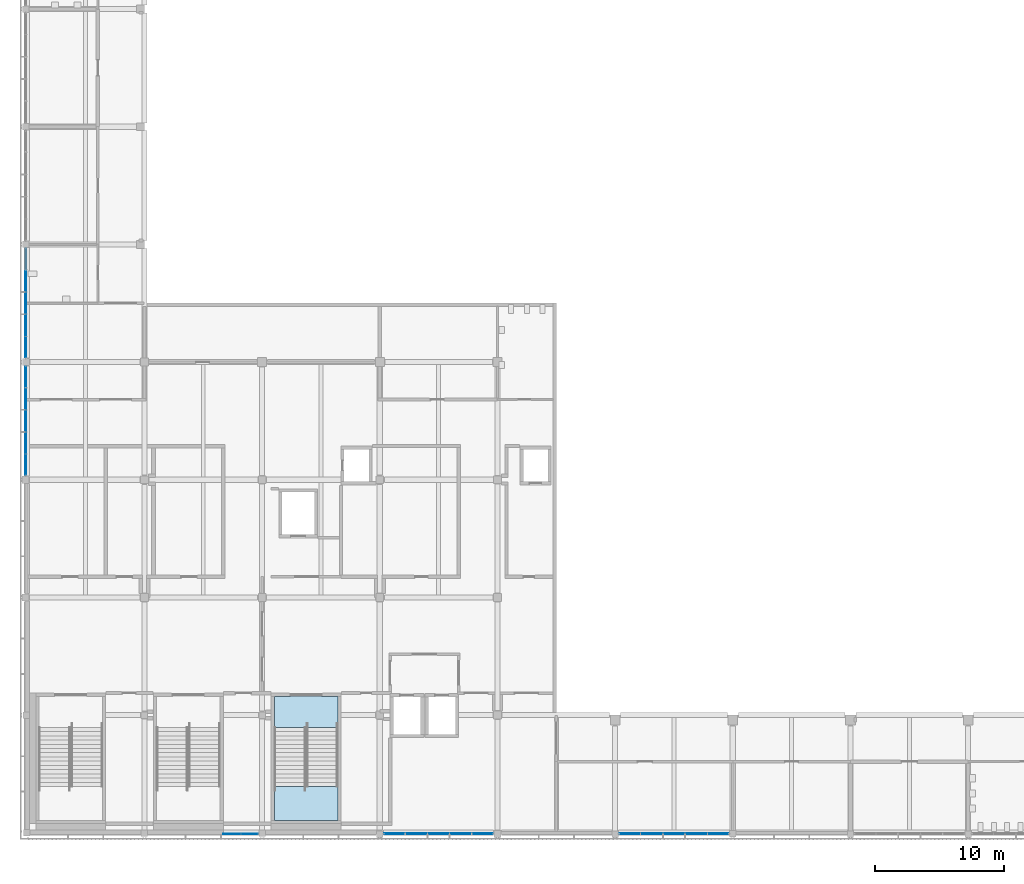
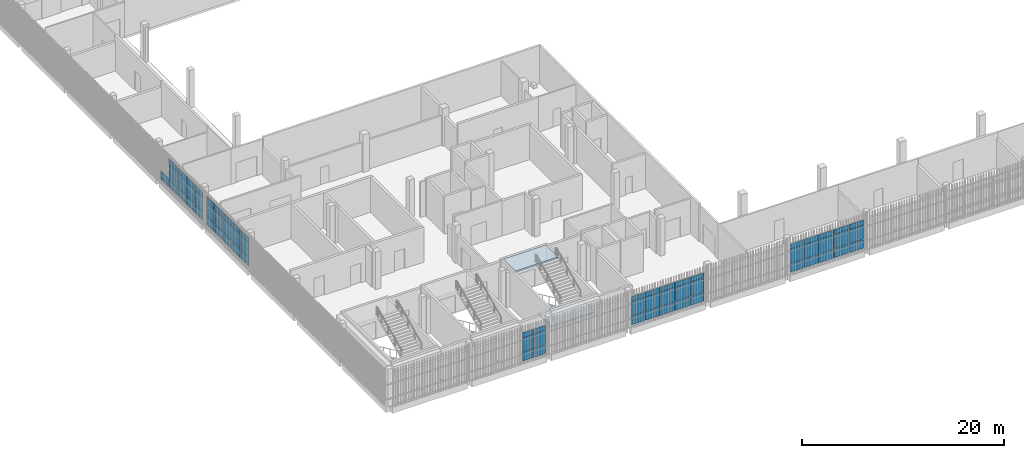
# One storey, part 57 of 124: 64 plates, 2 slabs, 6 elements without a shape of their own.
"""IFC4 building model written with IfcOpenShell, lengths in metres."""

from ifc_helpers import new_model, si_unit, direction, frame, origin, origin_2d, place, context, subcontext, project, spatial, polyline, rectangle, outline, extrude, material, layer, layer_set, type_object, element, aggregate, save


model = new_model("IFC4")

# Units and contexts
model_context = context("Model", 3, precision=1e-05, world=origin(), true_north=direction((0.0, 1.0)))
body_context = subcontext(model_context, "Body", "Model", "MODEL_VIEW")
ifc_project = project(units=[si_unit("LENGTHUNIT", "METRE"), si_unit("AREAUNIT", "SQUARE_METRE"), si_unit("VOLUMEUNIT", "CUBIC_METRE"), si_unit("PLANEANGLEUNIT", "RADIAN"), si_unit("MASSUNIT", "GRAM", prefix="KILO")], contexts=[model_context])

# Site, building, storey
site_placement = place(None, origin())
site = spatial("IfcSite", under=ifc_project, at=site_placement, CompositionType="ELEMENT")
building_placement = place(site_placement, origin())
building = spatial("IfcBuilding", under=site, at=building_placement, Name="Shirokan Park Arena", CompositionType="ELEMENT")
storey_placement = place(building_placement, frame((0.0, 0.0, 20.02001953125)))
storey = spatial("IfcBuildingStorey", under=building, at=storey_placement, Name="L04", CompositionType="ELEMENT", Elevation=20.02001953125)

# Curtain wall, plates
ifc_material_1 = material(Name="Steel and glass curtain wall", Category="steel")
ifc_layer_1 = layer(ifc_material_1, 0.1201171875)
ifc_layer_set_1 = layer_set([ifc_layer_1], Name="Steel and glass curtain wall 120 mm")
curtain_wall_type_1 = type_object("IfcCurtainWallType", Name="Curtain wall corner block side bay 120", PredefinedType="NOTDEFINED", material=ifc_layer_set_1)
curtain_wall_1_placement = place(storey_placement, origin())
curtain_wall_1 = element("IfcCurtainWall", 1, at=curtain_wall_1_placement, inside=storey, type_object=curtain_wall_type_1, Name="Curtain wall south bay 2 L04", PredefinedType="NOTDEFINED")
ifc_material_2 = material(Name="Aluminium sheet", Category="aluminium")
ifc_layer_2 = layer(ifc_material_2, 0.0029296875, Name="Aluminium sheet")
ifc_material_3 = material(Name="Mineral wool insulation")
ifc_layer_3 = layer(ifc_material_3, 0.053955078125, Name="Mineral wool insulation")
ifc_layer_4 = layer(ifc_material_2, 0.0029296875, Name="Aluminium sheet")
ifc_layer_set_2 = layer_set([ifc_layer_2, ifc_layer_3, ifc_layer_4], Name="Aluminium sheet + Mineral wool insulation")
plate_type_1 = type_object("IfcPlateType", Name="Insulated spandrel panel 60", PredefinedType="CURTAIN_PANEL", material=ifc_layer_set_2)
plate_1_placement = place(storey_placement, frame((15.875, -0.090087890625, 2.8701171875), z_axis=(0.0, 0.0, 1.0), x_axis=(1.0, 0.0, 0.0)))
plate_1 = element("IfcPlate", 2, at=plate_1_placement, type_object=plate_type_1, Name="CW3 panel 1.3", PredefinedType="CURTAIN_PANEL", context=body_context, shape_type="SweptSolid", body=[
    extrude(rectangle(XDim=1.35009765625, YDim=0.06005859375, at=origin_2d()), origin(), (0.0, 0.0, 1.0), 0.590087890625),
])
plate_2_placement = place(storey_placement, frame((17.22509765625, -0.090087890625, 2.8701171875), z_axis=(0.0, 0.0, 1.0), x_axis=(1.0, 0.0, 0.0)))
plate_2 = element("IfcPlate", 3, at=plate_2_placement, type_object=plate_type_1, Name="CW3 panel 2.3", PredefinedType="CURTAIN_PANEL", context=body_context, shape_type="SweptSolid", body=[
    extrude(rectangle(XDim=1.25, YDim=0.06005859375, at=origin_2d()), origin(), (0.0, 0.0, 1.0), 0.590087890625),
])

ifc_layer_5 = layer(ifc_material_1, 0.14990234375)
ifc_layer_set_3 = layer_set([ifc_layer_5], Name="Steel and glass curtain wall 150 mm")
curtain_wall_type_2 = type_object("IfcCurtainWallType", Name="Curtain wall exposed bay 150", PredefinedType="NOTDEFINED", material=ifc_layer_set_3)
curtain_wall_2_placement = place(storey_placement, origin())
curtain_wall_2 = element("IfcCurtainWall", 4, at=curtain_wall_2_placement, inside=storey, type_object=curtain_wall_type_2, Name="Curtain wall south bay 4 L04", PredefinedType="NOTDEFINED")
plate_3_placement = place(storey_placement, frame((28.445068359375, -0.074951171875, 2.8701171875), z_axis=(0.0, 0.0, 1.0), x_axis=(1.0, 0.0, 0.0)))
plate_3 = element("IfcPlate", 5, at=plate_3_placement, type_object=plate_type_1, Name="CW1 panel 1.3", PredefinedType="CURTAIN_PANEL", context=body_context, shape_type="SweptSolid", body=[
    extrude(rectangle(XDim=1.590087890625, YDim=0.06005859375, at=origin_2d()), origin(), (0.0, 0.0, 1.0), 0.590087890625),
])
plate_4_placement = place(storey_placement, frame((30.12255859375, -0.074951171875, 2.8701171875), z_axis=(0.0, 0.0, 1.0), x_axis=(1.0, 0.0, 0.0)))
plate_4 = element("IfcPlate", 6, at=plate_4_placement, type_object=plate_type_1, Name="CW1 panel 2.3", PredefinedType="CURTAIN_PANEL", context=body_context, shape_type="SweptSolid", body=[
    extrude(rectangle(XDim=1.6650390625, YDim=0.06005859375, at=origin_2d()), origin(), (0.0, 0.0, 1.0), 0.590087890625),
])
plate_5_placement = place(storey_placement, frame((31.83740234375, -0.074951171875, 2.8701171875), z_axis=(0.0, 0.0, 1.0), x_axis=(1.0, 0.0, 0.0)))
plate_5 = element("IfcPlate", 7, at=plate_5_placement, type_object=plate_type_1, Name="CW1 panel 3.3", PredefinedType="CURTAIN_PANEL", context=body_context, shape_type="SweptSolid", body=[
    extrude(rectangle(XDim=1.6650390625, YDim=0.06005859375, at=origin_2d()), origin(), (0.0, 0.0, 1.0), 0.590087890625),
])
plate_6_placement = place(storey_placement, frame((33.552490234375, -0.074951171875, 2.8701171875), z_axis=(0.0, 0.0, 1.0), x_axis=(1.0, 0.0, 0.0)))
plate_6 = element("IfcPlate", 8, at=plate_6_placement, type_object=plate_type_1, Name="CW1 panel 4.3", PredefinedType="CURTAIN_PANEL", context=body_context, shape_type="SweptSolid", body=[
    extrude(rectangle(XDim=1.6650390625, YDim=0.06005859375, at=origin_2d()), origin(), (0.0, 0.0, 1.0), 0.590087890625),
])
plate_7_placement = place(storey_placement, frame((35.22998046875, -0.074951171875, 2.8701171875), z_axis=(0.0, 0.0, 1.0), x_axis=(1.0, 0.0, 0.0)))
plate_7 = element("IfcPlate", 9, at=plate_7_placement, type_object=plate_type_1, Name="CW1 panel 5.3", PredefinedType="CURTAIN_PANEL", context=body_context, shape_type="SweptSolid", body=[
    extrude(rectangle(XDim=1.590087890625, YDim=0.06005859375, at=origin_2d()), origin(), (0.0, 0.0, 1.0), 0.590087890625),
])

curtain_wall_3_placement = place(storey_placement, origin())
curtain_wall_3 = element("IfcCurtainWall", 10, at=curtain_wall_3_placement, inside=storey, type_object=curtain_wall_type_2, Name="Curtain wall south bay 6 L04", PredefinedType="NOTDEFINED")
plate_8_placement = place(storey_placement, frame((46.6474609375, -0.074951171875, 2.8701171875), z_axis=(0.0, 0.0, 1.0), x_axis=(1.0, 0.0, 0.0)))
plate_8 = element("IfcPlate", 11, at=plate_8_placement, type_object=plate_type_1, Name="CW1 panel 1.3", PredefinedType="CURTAIN_PANEL", context=body_context, shape_type="SweptSolid", body=[
    extrude(rectangle(XDim=1.594970703125, YDim=0.06005859375, at=origin_2d()), origin(), (0.0, 0.0, 1.0), 0.590087890625),
])
plate_9_placement = place(storey_placement, frame((48.330078125, -0.074951171875, 2.8701171875), z_axis=(0.0, 0.0, 1.0), x_axis=(1.0, 0.0, 0.0)))
plate_9 = element("IfcPlate", 12, at=plate_9_placement, type_object=plate_type_1, Name="CW1 panel 2.3", PredefinedType="CURTAIN_PANEL", context=body_context, shape_type="SweptSolid", body=[
    extrude(rectangle(XDim=1.669921875, YDim=0.06005859375, at=origin_2d()), origin(), (0.0, 0.0, 1.0), 0.590087890625),
])
plate_10_placement = place(storey_placement, frame((50.050048828125, -0.074951171875, 2.8701171875), z_axis=(0.0, 0.0, 1.0), x_axis=(1.0, 0.0, 0.0)))
plate_10 = element("IfcPlate", 13, at=plate_10_placement, type_object=plate_type_1, Name="CW1 panel 3.3", PredefinedType="CURTAIN_PANEL", context=body_context, shape_type="SweptSolid", body=[
    extrude(rectangle(XDim=1.669921875, YDim=0.06005859375, at=origin_2d()), origin(), (0.0, 0.0, 1.0), 0.590087890625),
])
plate_11_placement = place(storey_placement, frame((51.77001953125, -0.074951171875, 2.8701171875), z_axis=(0.0, 0.0, 1.0), x_axis=(1.0, 0.0, 0.0)))
plate_11 = element("IfcPlate", 14, at=plate_11_placement, type_object=plate_type_1, Name="CW1 panel 4.3", PredefinedType="CURTAIN_PANEL", context=body_context, shape_type="SweptSolid", body=[
    extrude(rectangle(XDim=1.669921875, YDim=0.06005859375, at=origin_2d()), origin(), (0.0, 0.0, 1.0), 0.590087890625),
])
plate_12_placement = place(storey_placement, frame((53.452392578125, -0.074951171875, 2.8701171875), z_axis=(0.0, 0.0, 1.0), x_axis=(1.0, 0.0, 0.0)))
plate_12 = element("IfcPlate", 15, at=plate_12_placement, type_object=plate_type_1, Name="CW1 panel 5.3", PredefinedType="CURTAIN_PANEL", context=body_context, shape_type="SweptSolid", body=[
    extrude(rectangle(XDim=1.594970703125, YDim=0.06005859375, at=origin_2d()), origin(), (0.0, 0.0, 1.0), 0.590087890625),
])

curtain_wall_4_placement = place(storey_placement, origin())
curtain_wall_4 = element("IfcCurtainWall", 16, at=curtain_wall_4_placement, inside=storey, type_object=curtain_wall_type_2, Name="Curtain wall west bay 8 L04", PredefinedType="NOTDEFINED")
plate_13_placement = place(storey_placement, frame((-0.074951171875, 42.677490234375, 2.8701171875), z_axis=(0.0, 0.0, 1.0), x_axis=(0.0, -1.0, 0.0)))
plate_13 = element("IfcPlate", 17, at=plate_13_placement, type_object=plate_type_1, Name="CW1 panel 2.3", PredefinedType="CURTAIN_PANEL", context=body_context, shape_type="SweptSolid", body=[
    extrude(rectangle(XDim=1.6650390625, YDim=0.06005859375, at=origin_2d()), origin(), (0.0, 0.0, 1.0), 0.590087890625),
])
plate_14_placement = place(storey_placement, frame((-0.074951171875, 40.96240234375, 2.8701171875), z_axis=(0.0, 0.0, 1.0), x_axis=(0.0, -1.0, 0.0)))
plate_14 = element("IfcPlate", 18, at=plate_14_placement, type_object=plate_type_1, Name="CW1 panel 3.3", PredefinedType="CURTAIN_PANEL", context=body_context, shape_type="SweptSolid", body=[
    extrude(rectangle(XDim=1.6650390625, YDim=0.06005859375, at=origin_2d()), origin(), (0.0, 0.0, 1.0), 0.590087890625),
])
plate_15_placement = place(storey_placement, frame((-0.074951171875, 39.24755859375, 2.8701171875), z_axis=(0.0, 0.0, 1.0), x_axis=(0.0, -1.0, 0.0)))
plate_15 = element("IfcPlate", 19, at=plate_15_placement, type_object=plate_type_1, Name="CW1 panel 4.3", PredefinedType="CURTAIN_PANEL", context=body_context, shape_type="SweptSolid", body=[
    extrude(rectangle(XDim=1.6650390625, YDim=0.06005859375, at=origin_2d()), origin(), (0.0, 0.0, 1.0), 0.590087890625),
])
plate_16_placement = place(storey_placement, frame((-0.074951171875, 37.570068359375, 2.8701171875), z_axis=(0.0, 0.0, 1.0), x_axis=(0.0, -1.0, 0.0)))
plate_16 = element("IfcPlate", 20, at=plate_16_placement, type_object=plate_type_1, Name="CW1 panel 5.3", PredefinedType="CURTAIN_PANEL", context=body_context, shape_type="SweptSolid", body=[
    extrude(rectangle(XDim=1.590087890625, YDim=0.06005859375, at=origin_2d()), origin(), (0.0, 0.0, 1.0), 0.590087890625),
])

curtain_wall_5_placement = place(storey_placement, origin())
curtain_wall_5 = element("IfcCurtainWall", 21, at=curtain_wall_5_placement, inside=storey, type_object=curtain_wall_type_2, Name="Curtain wall west bay 9 L04", PredefinedType="NOTDEFINED")
plate_17_placement = place(storey_placement, frame((-0.074951171875, 35.232421875, 2.8701171875), z_axis=(0.0, 0.0, 1.0), x_axis=(0.0, -1.0, 0.0)))
plate_17 = element("IfcPlate", 22, at=plate_17_placement, type_object=plate_type_1, Name="CW1 panel 1.3", PredefinedType="CURTAIN_PANEL", context=body_context, shape_type="SweptSolid", body=[
    extrude(rectangle(XDim=1.5849609375, YDim=0.06005859375, at=origin_2d()), origin(), (0.0, 0.0, 1.0), 0.590087890625),
])
plate_18_placement = place(storey_placement, frame((-0.074951171875, 33.56005859375, 2.8701171875), z_axis=(0.0, 0.0, 1.0), x_axis=(0.0, -1.0, 0.0)))
plate_18 = element("IfcPlate", 23, at=plate_18_placement, type_object=plate_type_1, Name="CW1 panel 2.3", PredefinedType="CURTAIN_PANEL", context=body_context, shape_type="SweptSolid", body=[
    extrude(rectangle(XDim=1.659912109375, YDim=0.06005859375, at=origin_2d()), origin(), (0.0, 0.0, 1.0), 0.590087890625),
])
plate_19_placement = place(storey_placement, frame((-0.074951171875, 31.85009765625, 2.8701171875), z_axis=(0.0, 0.0, 1.0), x_axis=(0.0, -1.0, 0.0)))
plate_19 = element("IfcPlate", 24, at=plate_19_placement, type_object=plate_type_1, Name="CW1 panel 3.3", PredefinedType="CURTAIN_PANEL", context=body_context, shape_type="SweptSolid", body=[
    extrude(rectangle(XDim=1.659912109375, YDim=0.06005859375, at=origin_2d()), origin(), (0.0, 0.0, 1.0), 0.590087890625),
])
plate_20_placement = place(storey_placement, frame((-0.074951171875, 30.139892578125, 2.8701171875), z_axis=(0.0, 0.0, 1.0), x_axis=(0.0, -1.0, 0.0)))
plate_20 = element("IfcPlate", 25, at=plate_20_placement, type_object=plate_type_1, Name="CW1 panel 4.3", PredefinedType="CURTAIN_PANEL", context=body_context, shape_type="SweptSolid", body=[
    extrude(rectangle(XDim=1.659912109375, YDim=0.06005859375, at=origin_2d()), origin(), (0.0, 0.0, 1.0), 0.590087890625),
])
plate_21_placement = place(storey_placement, frame((-0.074951171875, 28.467529296875, 2.8701171875), z_axis=(0.0, 0.0, 1.0), x_axis=(0.0, -1.0, 0.0)))
plate_21 = element("IfcPlate", 26, at=plate_21_placement, type_object=plate_type_1, Name="CW1 panel 5.3", PredefinedType="CURTAIN_PANEL", context=body_context, shape_type="SweptSolid", body=[
    extrude(rectangle(XDim=1.5849609375, YDim=0.06005859375, at=origin_2d()), origin(), (0.0, 0.0, 1.0), 0.590087890625),
])

# Plate
ifc_material_4 = material(Name="Toughened glass", Category="glass")
ifc_layer_6 = layer(ifc_material_4, 0.012939453125, Name="Toughened glass")
ifc_material_5 = material(Name="Interlayer film")
ifc_layer_7 = layer(ifc_material_5, 0.001953125, Name="Interlayer film")
ifc_layer_8 = layer(ifc_material_4, 0.012939453125, Name="Toughened glass")
ifc_layer_set_4 = layer_set([ifc_layer_6, ifc_layer_7, ifc_layer_8], Name="Toughened glass + Interlayer film")
plate_type_2 = type_object("IfcPlateType", Name="Laminated glass panel 28", PredefinedType="CURTAIN_PANEL", material=ifc_layer_set_4)
plate_22_placement = place(storey_placement, frame((15.875, -0.090087890625, 1.1201171875), z_axis=(0.0, 0.0, 1.0), x_axis=(1.0, 0.0, 0.0)))
plate_22 = element("IfcPlate", 27, at=plate_22_placement, type_object=plate_type_2, Name="CW3 panel 1.2", PredefinedType="CURTAIN_PANEL", context=body_context, shape_type="SweptSolid", body=[
    extrude(rectangle(XDim=1.35009765625, YDim=0.028076171875, at=origin_2d()), origin(), (0.0, 0.0, 1.0), 1.7099609375),
])

plate_23_placement = place(storey_placement, frame((17.22509765625, -0.090087890625, 1.1201171875), z_axis=(0.0, 0.0, 1.0), x_axis=(1.0, 0.0, 0.0)))
plate_23 = element("IfcPlate", 28, at=plate_23_placement, type_object=plate_type_2, Name="CW3 panel 2.2", PredefinedType="CURTAIN_PANEL", context=body_context, shape_type="SweptSolid", body=[
    extrude(rectangle(XDim=1.25, YDim=0.028076171875, at=origin_2d()), origin(), (0.0, 0.0, 1.0), 1.7099609375),
])

plate_24_placement = place(storey_placement, frame((28.445068359375, -0.074951171875, 1.1201171875), z_axis=(0.0, 0.0, 1.0), x_axis=(1.0, 0.0, 0.0)))
plate_24 = element("IfcPlate", 29, at=plate_24_placement, type_object=plate_type_2, Name="CW1 panel 1.2", PredefinedType="CURTAIN_PANEL", context=body_context, shape_type="SweptSolid", body=[
    extrude(rectangle(XDim=1.590087890625, YDim=0.028076171875, at=origin_2d()), origin(), (0.0, 0.0, 1.0), 1.7099609375),
])

plate_25_placement = place(storey_placement, frame((30.12255859375, -0.074951171875, 1.1201171875), z_axis=(0.0, 0.0, 1.0), x_axis=(1.0, 0.0, 0.0)))
plate_25 = element("IfcPlate", 30, at=plate_25_placement, type_object=plate_type_2, Name="CW1 panel 2.2", PredefinedType="CURTAIN_PANEL", context=body_context, shape_type="SweptSolid", body=[
    extrude(rectangle(XDim=1.6650390625, YDim=0.028076171875, at=origin_2d()), origin(), (0.0, 0.0, 1.0), 1.7099609375),
])

plate_26_placement = place(storey_placement, frame((31.83740234375, -0.074951171875, 1.1201171875), z_axis=(0.0, 0.0, 1.0), x_axis=(1.0, 0.0, 0.0)))
plate_26 = element("IfcPlate", 31, at=plate_26_placement, type_object=plate_type_2, Name="CW1 panel 3.2", PredefinedType="CURTAIN_PANEL", context=body_context, shape_type="SweptSolid", body=[
    extrude(rectangle(XDim=1.6650390625, YDim=0.028076171875, at=origin_2d()), origin(), (0.0, 0.0, 1.0), 1.7099609375),
])

plate_27_placement = place(storey_placement, frame((33.552490234375, -0.074951171875, 1.1201171875), z_axis=(0.0, 0.0, 1.0), x_axis=(1.0, 0.0, 0.0)))
plate_27 = element("IfcPlate", 32, at=plate_27_placement, type_object=plate_type_2, Name="CW1 panel 4.2", PredefinedType="CURTAIN_PANEL", context=body_context, shape_type="SweptSolid", body=[
    extrude(rectangle(XDim=1.6650390625, YDim=0.028076171875, at=origin_2d()), origin(), (0.0, 0.0, 1.0), 1.7099609375),
])

plate_28_placement = place(storey_placement, frame((35.22998046875, -0.074951171875, 1.1201171875), z_axis=(0.0, 0.0, 1.0), x_axis=(1.0, 0.0, 0.0)))
plate_28 = element("IfcPlate", 33, at=plate_28_placement, type_object=plate_type_2, Name="CW1 panel 5.2", PredefinedType="CURTAIN_PANEL", context=body_context, shape_type="SweptSolid", body=[
    extrude(rectangle(XDim=1.590087890625, YDim=0.028076171875, at=origin_2d()), origin(), (0.0, 0.0, 1.0), 1.7099609375),
])

plate_29_placement = place(storey_placement, frame((46.6474609375, -0.074951171875, 1.1201171875), z_axis=(0.0, 0.0, 1.0), x_axis=(1.0, 0.0, 0.0)))
plate_29 = element("IfcPlate", 34, at=plate_29_placement, type_object=plate_type_2, Name="CW1 panel 1.2", PredefinedType="CURTAIN_PANEL", context=body_context, shape_type="SweptSolid", body=[
    extrude(rectangle(XDim=1.594970703125, YDim=0.028076171875, at=origin_2d()), origin(), (0.0, 0.0, 1.0), 1.7099609375),
])

plate_30_placement = place(storey_placement, frame((48.330078125, -0.074951171875, 1.1201171875), z_axis=(0.0, 0.0, 1.0), x_axis=(1.0, 0.0, 0.0)))
plate_30 = element("IfcPlate", 35, at=plate_30_placement, type_object=plate_type_2, Name="CW1 panel 2.2", PredefinedType="CURTAIN_PANEL", context=body_context, shape_type="SweptSolid", body=[
    extrude(rectangle(XDim=1.669921875, YDim=0.028076171875, at=origin_2d()), origin(), (0.0, 0.0, 1.0), 1.7099609375),
])

plate_31_placement = place(storey_placement, frame((50.050048828125, -0.074951171875, 1.1201171875), z_axis=(0.0, 0.0, 1.0), x_axis=(1.0, 0.0, 0.0)))
plate_31 = element("IfcPlate", 36, at=plate_31_placement, type_object=plate_type_2, Name="CW1 panel 3.2", PredefinedType="CURTAIN_PANEL", context=body_context, shape_type="SweptSolid", body=[
    extrude(rectangle(XDim=1.669921875, YDim=0.028076171875, at=origin_2d()), origin(), (0.0, 0.0, 1.0), 1.7099609375),
])

plate_32_placement = place(storey_placement, frame((51.77001953125, -0.074951171875, 1.1201171875), z_axis=(0.0, 0.0, 1.0), x_axis=(1.0, 0.0, 0.0)))
plate_32 = element("IfcPlate", 37, at=plate_32_placement, type_object=plate_type_2, Name="CW1 panel 4.2", PredefinedType="CURTAIN_PANEL", context=body_context, shape_type="SweptSolid", body=[
    extrude(rectangle(XDim=1.669921875, YDim=0.028076171875, at=origin_2d()), origin(), (0.0, 0.0, 1.0), 1.7099609375),
])

plate_33_placement = place(storey_placement, frame((53.452392578125, -0.074951171875, 1.1201171875), z_axis=(0.0, 0.0, 1.0), x_axis=(1.0, 0.0, 0.0)))
plate_33 = element("IfcPlate", 38, at=plate_33_placement, type_object=plate_type_2, Name="CW1 panel 5.2", PredefinedType="CURTAIN_PANEL", context=body_context, shape_type="SweptSolid", body=[
    extrude(rectangle(XDim=1.594970703125, YDim=0.028076171875, at=origin_2d()), origin(), (0.0, 0.0, 1.0), 1.7099609375),
])

plate_34_placement = place(storey_placement, frame((-0.074951171875, 42.677490234375, 1.1201171875), z_axis=(0.0, 0.0, 1.0), x_axis=(0.0, -1.0, 0.0)))
plate_34 = element("IfcPlate", 39, at=plate_34_placement, type_object=plate_type_2, Name="CW1 panel 2.2", PredefinedType="CURTAIN_PANEL", context=body_context, shape_type="SweptSolid", body=[
    extrude(rectangle(XDim=1.6650390625, YDim=0.028076171875, at=origin_2d()), origin(), (0.0, 0.0, 1.0), 1.7099609375),
])

plate_35_placement = place(storey_placement, frame((-0.074951171875, 40.96240234375, 1.1201171875), z_axis=(0.0, 0.0, 1.0), x_axis=(0.0, -1.0, 0.0)))
plate_35 = element("IfcPlate", 40, at=plate_35_placement, type_object=plate_type_2, Name="CW1 panel 3.2", PredefinedType="CURTAIN_PANEL", context=body_context, shape_type="SweptSolid", body=[
    extrude(rectangle(XDim=1.6650390625, YDim=0.028076171875, at=origin_2d()), origin(), (0.0, 0.0, 1.0), 1.7099609375),
])

plate_36_placement = place(storey_placement, frame((-0.074951171875, 39.24755859375, 1.1201171875), z_axis=(0.0, 0.0, 1.0), x_axis=(0.0, -1.0, 0.0)))
plate_36 = element("IfcPlate", 41, at=plate_36_placement, type_object=plate_type_2, Name="CW1 panel 4.2", PredefinedType="CURTAIN_PANEL", context=body_context, shape_type="SweptSolid", body=[
    extrude(rectangle(XDim=1.6650390625, YDim=0.028076171875, at=origin_2d()), origin(), (0.0, 0.0, 1.0), 1.7099609375),
])

plate_37_placement = place(storey_placement, frame((-0.074951171875, 37.570068359375, 1.1201171875), z_axis=(0.0, 0.0, 1.0), x_axis=(0.0, -1.0, 0.0)))
plate_37 = element("IfcPlate", 42, at=plate_37_placement, type_object=plate_type_2, Name="CW1 panel 5.2", PredefinedType="CURTAIN_PANEL", context=body_context, shape_type="SweptSolid", body=[
    extrude(rectangle(XDim=1.590087890625, YDim=0.028076171875, at=origin_2d()), origin(), (0.0, 0.0, 1.0), 1.7099609375),
])

plate_38_placement = place(storey_placement, frame((-0.074951171875, 35.232421875, 1.1201171875), z_axis=(0.0, 0.0, 1.0), x_axis=(0.0, -1.0, 0.0)))
plate_38 = element("IfcPlate", 43, at=plate_38_placement, type_object=plate_type_2, Name="CW1 panel 1.2", PredefinedType="CURTAIN_PANEL", context=body_context, shape_type="SweptSolid", body=[
    extrude(rectangle(XDim=1.5849609375, YDim=0.028076171875, at=origin_2d()), origin(), (0.0, 0.0, 1.0), 1.7099609375),
])

plate_39_placement = place(storey_placement, frame((-0.074951171875, 33.56005859375, 1.1201171875), z_axis=(0.0, 0.0, 1.0), x_axis=(0.0, -1.0, 0.0)))
plate_39 = element("IfcPlate", 44, at=plate_39_placement, type_object=plate_type_2, Name="CW1 panel 2.2", PredefinedType="CURTAIN_PANEL", context=body_context, shape_type="SweptSolid", body=[
    extrude(rectangle(XDim=1.659912109375, YDim=0.028076171875, at=origin_2d()), origin(), (0.0, 0.0, 1.0), 1.7099609375),
])

plate_40_placement = place(storey_placement, frame((-0.074951171875, 31.85009765625, 1.1201171875), z_axis=(0.0, 0.0, 1.0), x_axis=(0.0, -1.0, 0.0)))
plate_40 = element("IfcPlate", 45, at=plate_40_placement, type_object=plate_type_2, Name="CW1 panel 3.2", PredefinedType="CURTAIN_PANEL", context=body_context, shape_type="SweptSolid", body=[
    extrude(rectangle(XDim=1.659912109375, YDim=0.028076171875, at=origin_2d()), origin(), (0.0, 0.0, 1.0), 1.7099609375),
])

plate_41_placement = place(storey_placement, frame((-0.074951171875, 30.139892578125, 1.1201171875), z_axis=(0.0, 0.0, 1.0), x_axis=(0.0, -1.0, 0.0)))
plate_41 = element("IfcPlate", 46, at=plate_41_placement, type_object=plate_type_2, Name="CW1 panel 4.2", PredefinedType="CURTAIN_PANEL", context=body_context, shape_type="SweptSolid", body=[
    extrude(rectangle(XDim=1.659912109375, YDim=0.028076171875, at=origin_2d()), origin(), (0.0, 0.0, 1.0), 1.7099609375),
])

plate_42_placement = place(storey_placement, frame((-0.074951171875, 28.467529296875, 1.1201171875), z_axis=(0.0, 0.0, 1.0), x_axis=(0.0, -1.0, 0.0)))
plate_42 = element("IfcPlate", 47, at=plate_42_placement, type_object=plate_type_2, Name="CW1 panel 5.2", PredefinedType="CURTAIN_PANEL", context=body_context, shape_type="SweptSolid", body=[
    extrude(rectangle(XDim=1.5849609375, YDim=0.028076171875, at=origin_2d()), origin(), (0.0, 0.0, 1.0), 1.7099609375),
])

ifc_layer_9 = layer(ifc_material_4, 0.01708984375, Name="Toughened glass")
ifc_layer_10 = layer(ifc_material_5, 0.001953125, Name="Interlayer film")
ifc_layer_11 = layer(ifc_material_4, 0.01708984375, Name="Toughened glass")
ifc_layer_set_5 = layer_set([ifc_layer_9, ifc_layer_10, ifc_layer_11], Name="Toughened glass + Interlayer film")
plate_type_3 = type_object("IfcPlateType", Name="Laminated safety glass panel 36", PredefinedType="CURTAIN_PANEL", material=ifc_layer_set_5)
plate_43_placement = place(storey_placement, frame((15.875, -0.090087890625, 0.0400390625), z_axis=(0.0, 0.0, 1.0), x_axis=(1.0, 0.0, 0.0)))
plate_43 = element("IfcPlate", 48, at=plate_43_placement, type_object=plate_type_3, Name="CW3 panel 1.1", PredefinedType="CURTAIN_PANEL", context=body_context, shape_type="SweptSolid", body=[
    extrude(rectangle(XDim=1.35009765625, YDim=0.035888671875, at=origin_2d()), origin(), (0.0, 0.0, 1.0), 1.0400390625),
])

plate_44_placement = place(storey_placement, frame((17.22509765625, -0.090087890625, 0.0400390625), z_axis=(0.0, 0.0, 1.0), x_axis=(1.0, 0.0, 0.0)))
plate_44 = element("IfcPlate", 49, at=plate_44_placement, type_object=plate_type_3, Name="CW3 panel 2.1", PredefinedType="CURTAIN_PANEL", context=body_context, shape_type="SweptSolid", body=[
    extrude(rectangle(XDim=1.25, YDim=0.035888671875, at=origin_2d()), origin(), (0.0, 0.0, 1.0), 1.0400390625),
])

aggregate(curtain_wall_1, [plate_43, plate_22, plate_1, plate_44, plate_23, plate_2])

plate_45_placement = place(storey_placement, frame((28.445068359375, -0.074951171875, 0.0400390625), z_axis=(0.0, 0.0, 1.0), x_axis=(1.0, 0.0, 0.0)))
plate_45 = element("IfcPlate", 50, at=plate_45_placement, type_object=plate_type_3, Name="CW1 panel 1.1", PredefinedType="CURTAIN_PANEL", context=body_context, shape_type="SweptSolid", body=[
    extrude(rectangle(XDim=1.590087890625, YDim=0.035888671875, at=origin_2d()), origin(), (0.0, 0.0, 1.0), 1.0400390625),
])

plate_46_placement = place(storey_placement, frame((30.12255859375, -0.074951171875, 0.0400390625), z_axis=(0.0, 0.0, 1.0), x_axis=(1.0, 0.0, 0.0)))
plate_46 = element("IfcPlate", 51, at=plate_46_placement, type_object=plate_type_3, Name="CW1 panel 2.1", PredefinedType="CURTAIN_PANEL", context=body_context, shape_type="SweptSolid", body=[
    extrude(rectangle(XDim=1.6650390625, YDim=0.035888671875, at=origin_2d()), origin(), (0.0, 0.0, 1.0), 1.0400390625),
])

plate_47_placement = place(storey_placement, frame((31.83740234375, -0.074951171875, 0.0400390625), z_axis=(0.0, 0.0, 1.0), x_axis=(1.0, 0.0, 0.0)))
plate_47 = element("IfcPlate", 52, at=plate_47_placement, type_object=plate_type_3, Name="CW1 panel 3.1", PredefinedType="CURTAIN_PANEL", context=body_context, shape_type="SweptSolid", body=[
    extrude(rectangle(XDim=1.6650390625, YDim=0.035888671875, at=origin_2d()), origin(), (0.0, 0.0, 1.0), 1.0400390625),
])

plate_48_placement = place(storey_placement, frame((33.552490234375, -0.074951171875, 0.0400390625), z_axis=(0.0, 0.0, 1.0), x_axis=(1.0, 0.0, 0.0)))
plate_48 = element("IfcPlate", 53, at=plate_48_placement, type_object=plate_type_3, Name="CW1 panel 4.1", PredefinedType="CURTAIN_PANEL", context=body_context, shape_type="SweptSolid", body=[
    extrude(rectangle(XDim=1.6650390625, YDim=0.035888671875, at=origin_2d()), origin(), (0.0, 0.0, 1.0), 1.0400390625),
])

plate_49_placement = place(storey_placement, frame((35.22998046875, -0.074951171875, 0.0400390625), z_axis=(0.0, 0.0, 1.0), x_axis=(1.0, 0.0, 0.0)))
plate_49 = element("IfcPlate", 54, at=plate_49_placement, type_object=plate_type_3, Name="CW1 panel 5.1", PredefinedType="CURTAIN_PANEL", context=body_context, shape_type="SweptSolid", body=[
    extrude(rectangle(XDim=1.590087890625, YDim=0.035888671875, at=origin_2d()), origin(), (0.0, 0.0, 1.0), 1.0400390625),
])

aggregate(curtain_wall_2, [plate_45, plate_24, plate_3, plate_46, plate_25, plate_4, plate_47, plate_26, plate_5, plate_48, plate_27, plate_6, plate_49, plate_28, plate_7])

plate_50_placement = place(storey_placement, frame((46.6474609375, -0.074951171875, 0.0400390625), z_axis=(0.0, 0.0, 1.0), x_axis=(1.0, 0.0, 0.0)))
plate_50 = element("IfcPlate", 55, at=plate_50_placement, type_object=plate_type_3, Name="CW1 panel 1.1", PredefinedType="CURTAIN_PANEL", context=body_context, shape_type="SweptSolid", body=[
    extrude(rectangle(XDim=1.594970703125, YDim=0.035888671875, at=origin_2d()), origin(), (0.0, 0.0, 1.0), 1.0400390625),
])

plate_51_placement = place(storey_placement, frame((48.330078125, -0.074951171875, 0.0400390625), z_axis=(0.0, 0.0, 1.0), x_axis=(1.0, 0.0, 0.0)))
plate_51 = element("IfcPlate", 56, at=plate_51_placement, type_object=plate_type_3, Name="CW1 panel 2.1", PredefinedType="CURTAIN_PANEL", context=body_context, shape_type="SweptSolid", body=[
    extrude(rectangle(XDim=1.669921875, YDim=0.035888671875, at=origin_2d()), origin(), (0.0, 0.0, 1.0), 1.0400390625),
])

plate_52_placement = place(storey_placement, frame((50.050048828125, -0.074951171875, 0.0400390625), z_axis=(0.0, 0.0, 1.0), x_axis=(1.0, 0.0, 0.0)))
plate_52 = element("IfcPlate", 57, at=plate_52_placement, type_object=plate_type_3, Name="CW1 panel 3.1", PredefinedType="CURTAIN_PANEL", context=body_context, shape_type="SweptSolid", body=[
    extrude(rectangle(XDim=1.669921875, YDim=0.035888671875, at=origin_2d()), origin(), (0.0, 0.0, 1.0), 1.0400390625),
])

plate_53_placement = place(storey_placement, frame((51.77001953125, -0.074951171875, 0.0400390625), z_axis=(0.0, 0.0, 1.0), x_axis=(1.0, 0.0, 0.0)))
plate_53 = element("IfcPlate", 58, at=plate_53_placement, type_object=plate_type_3, Name="CW1 panel 4.1", PredefinedType="CURTAIN_PANEL", context=body_context, shape_type="SweptSolid", body=[
    extrude(rectangle(XDim=1.669921875, YDim=0.035888671875, at=origin_2d()), origin(), (0.0, 0.0, 1.0), 1.0400390625),
])

plate_54_placement = place(storey_placement, frame((53.452392578125, -0.074951171875, 0.0400390625), z_axis=(0.0, 0.0, 1.0), x_axis=(1.0, 0.0, 0.0)))
plate_54 = element("IfcPlate", 59, at=plate_54_placement, type_object=plate_type_3, Name="CW1 panel 5.1", PredefinedType="CURTAIN_PANEL", context=body_context, shape_type="SweptSolid", body=[
    extrude(rectangle(XDim=1.594970703125, YDim=0.035888671875, at=origin_2d()), origin(), (0.0, 0.0, 1.0), 1.0400390625),
])

aggregate(curtain_wall_3, [plate_50, plate_29, plate_8, plate_51, plate_30, plate_9, plate_52, plate_31, plate_10, plate_53, plate_32, plate_11, plate_54, plate_33, plate_12])

plate_55_placement = place(storey_placement, frame((-0.074951171875, 44.35498046875, 0.0400390625), z_axis=(0.0, 0.0, 1.0), x_axis=(0.0, -1.0, 0.0)))
plate_55 = element("IfcPlate", 60, at=plate_55_placement, type_object=plate_type_3, Name="CW1 panel 1.1", PredefinedType="CURTAIN_PANEL", context=body_context, shape_type="SweptSolid", body=[
    extrude(rectangle(XDim=1.590087890625, YDim=0.035888671875, at=origin_2d()), origin(), (0.0, 0.0, 1.0), 1.0400390625),
])

plate_56_placement = place(storey_placement, frame((-0.074951171875, 42.677490234375, 0.0400390625), z_axis=(0.0, 0.0, 1.0), x_axis=(0.0, -1.0, 0.0)))
plate_56 = element("IfcPlate", 61, at=plate_56_placement, type_object=plate_type_3, Name="CW1 panel 2.1", PredefinedType="CURTAIN_PANEL", context=body_context, shape_type="SweptSolid", body=[
    extrude(rectangle(XDim=1.6650390625, YDim=0.035888671875, at=origin_2d()), origin(), (0.0, 0.0, 1.0), 1.0400390625),
])

plate_57_placement = place(storey_placement, frame((-0.074951171875, 40.96240234375, 0.0400390625), z_axis=(0.0, 0.0, 1.0), x_axis=(0.0, -1.0, 0.0)))
plate_57 = element("IfcPlate", 62, at=plate_57_placement, type_object=plate_type_3, Name="CW1 panel 3.1", PredefinedType="CURTAIN_PANEL", context=body_context, shape_type="SweptSolid", body=[
    extrude(rectangle(XDim=1.6650390625, YDim=0.035888671875, at=origin_2d()), origin(), (0.0, 0.0, 1.0), 1.0400390625),
])

plate_58_placement = place(storey_placement, frame((-0.074951171875, 39.24755859375, 0.0400390625), z_axis=(0.0, 0.0, 1.0), x_axis=(0.0, -1.0, 0.0)))
plate_58 = element("IfcPlate", 63, at=plate_58_placement, type_object=plate_type_3, Name="CW1 panel 4.1", PredefinedType="CURTAIN_PANEL", context=body_context, shape_type="SweptSolid", body=[
    extrude(rectangle(XDim=1.6650390625, YDim=0.035888671875, at=origin_2d()), origin(), (0.0, 0.0, 1.0), 1.0400390625),
])

plate_59_placement = place(storey_placement, frame((-0.074951171875, 37.570068359375, 0.0400390625), z_axis=(0.0, 0.0, 1.0), x_axis=(0.0, -1.0, 0.0)))
plate_59 = element("IfcPlate", 64, at=plate_59_placement, type_object=plate_type_3, Name="CW1 panel 5.1", PredefinedType="CURTAIN_PANEL", context=body_context, shape_type="SweptSolid", body=[
    extrude(rectangle(XDim=1.590087890625, YDim=0.035888671875, at=origin_2d()), origin(), (0.0, 0.0, 1.0), 1.0400390625),
])

aggregate(curtain_wall_4, [plate_55, plate_56, plate_34, plate_13, plate_57, plate_35, plate_14, plate_58, plate_36, plate_15, plate_59, plate_37, plate_16])

plate_60_placement = place(storey_placement, frame((-0.074951171875, 35.232421875, 0.0400390625), z_axis=(0.0, 0.0, 1.0), x_axis=(0.0, -1.0, 0.0)))
plate_60 = element("IfcPlate", 65, at=plate_60_placement, type_object=plate_type_3, Name="CW1 panel 1.1", PredefinedType="CURTAIN_PANEL", context=body_context, shape_type="SweptSolid", body=[
    extrude(rectangle(XDim=1.5849609375, YDim=0.035888671875, at=origin_2d()), origin(), (0.0, 0.0, 1.0), 1.0400390625),
])

plate_61_placement = place(storey_placement, frame((-0.074951171875, 33.56005859375, 0.0400390625), z_axis=(0.0, 0.0, 1.0), x_axis=(0.0, -1.0, 0.0)))
plate_61 = element("IfcPlate", 66, at=plate_61_placement, type_object=plate_type_3, Name="CW1 panel 2.1", PredefinedType="CURTAIN_PANEL", context=body_context, shape_type="SweptSolid", body=[
    extrude(rectangle(XDim=1.659912109375, YDim=0.035888671875, at=origin_2d()), origin(), (0.0, 0.0, 1.0), 1.0400390625),
])

plate_62_placement = place(storey_placement, frame((-0.074951171875, 31.85009765625, 0.0400390625), z_axis=(0.0, 0.0, 1.0), x_axis=(0.0, -1.0, 0.0)))
plate_62 = element("IfcPlate", 67, at=plate_62_placement, type_object=plate_type_3, Name="CW1 panel 3.1", PredefinedType="CURTAIN_PANEL", context=body_context, shape_type="SweptSolid", body=[
    extrude(rectangle(XDim=1.659912109375, YDim=0.035888671875, at=origin_2d()), origin(), (0.0, 0.0, 1.0), 1.0400390625),
])

plate_63_placement = place(storey_placement, frame((-0.074951171875, 30.139892578125, 0.0400390625), z_axis=(0.0, 0.0, 1.0), x_axis=(0.0, -1.0, 0.0)))
plate_63 = element("IfcPlate", 68, at=plate_63_placement, type_object=plate_type_3, Name="CW1 panel 4.1", PredefinedType="CURTAIN_PANEL", context=body_context, shape_type="SweptSolid", body=[
    extrude(rectangle(XDim=1.659912109375, YDim=0.035888671875, at=origin_2d()), origin(), (0.0, 0.0, 1.0), 1.0400390625),
])

plate_64_placement = place(storey_placement, frame((-0.074951171875, 28.467529296875, 0.0400390625), z_axis=(0.0, 0.0, 1.0), x_axis=(0.0, -1.0, 0.0)))
plate_64 = element("IfcPlate", 69, at=plate_64_placement, type_object=plate_type_3, Name="CW1 panel 5.1", PredefinedType="CURTAIN_PANEL", context=body_context, shape_type="SweptSolid", body=[
    extrude(rectangle(XDim=1.5849609375, YDim=0.035888671875, at=origin_2d()), origin(), (0.0, 0.0, 1.0), 1.0400390625),
])

aggregate(curtain_wall_5, [plate_60, plate_38, plate_17, plate_61, plate_39, plate_18, plate_62, plate_40, plate_19, plate_63, plate_41, plate_20, plate_64, plate_42, plate_21])

# Stair, slabs
ifc_material_6 = material(Name="Concrete C30 precast", Category="concrete")
stair_type = type_object("IfcStairType", Name="Stair 30 risers 152 x 327 2400 wide", PredefinedType="TWO_STRAIGHT_RUN_STAIR", material=ifc_material_6)
stair_placement = place(storey_placement, origin())
stair = element("IfcStair", 70, at=stair_placement, inside=storey, type_object=stair_type, Name="Exit Stair 1.C L04 to L05", PredefinedType="TWO_STRAIGHT_RUN_STAIR")
ifc_layer_12 = layer(ifc_material_6, 0.199951171875)
ifc_layer_set_6 = layer_set([ifc_layer_12], Name="Concrete C30 precast 200 mm")
slab_type = type_object("IfcSlabType", Name="Stair landing 200", PredefinedType="LANDING", material=ifc_layer_set_6)
slab_1_placement = place(storey_placement, frame((0.0, 0.0, 2.074951171875)))
slab_1 = element("IfcSlab", 71, at=slab_1_placement, type_object=slab_type, Name="ST03.5 landing 1", PredefinedType="LANDING", context=body_context, shape_type="SweptSolid", body=[
    extrude(outline(polyline([(19.14990234375, 0.949951171875), (24.050048828125, 0.949951171875), (24.050048828125, 3.576171875), (19.14990234375, 3.576171875), (19.14990234375, 0.949951171875)])), origin(), (0.0, 0.0, 1.0), 0.199951171875),
])
slab_2_placement = place(storey_placement, frame((0.0, 0.0, 4.35009765625)))
slab_2 = element("IfcSlab", 72, at=slab_2_placement, type_object=slab_type, Name="ST03.5 landing 2", PredefinedType="LANDING", context=body_context, shape_type="SweptSolid", body=[
    extrude(outline(polyline([(19.14990234375, 8.14990234375), (24.050048828125, 8.14990234375), (24.050048828125, 10.550048828125), (19.14990234375, 10.550048828125), (19.14990234375, 8.14990234375)])), origin(), (0.0, 0.0, 1.0), 0.199951171875),
])
aggregate(stair, [slab_1, slab_2])

save(model, "model.ifc")
